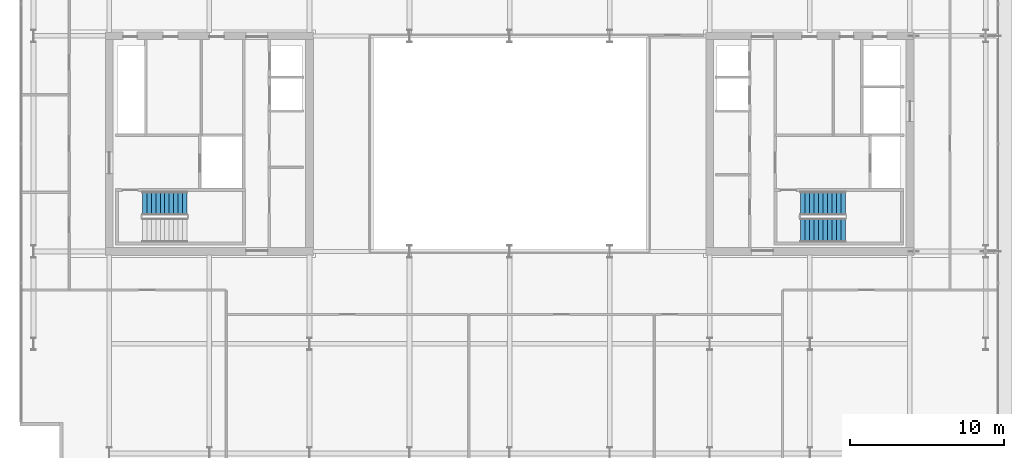
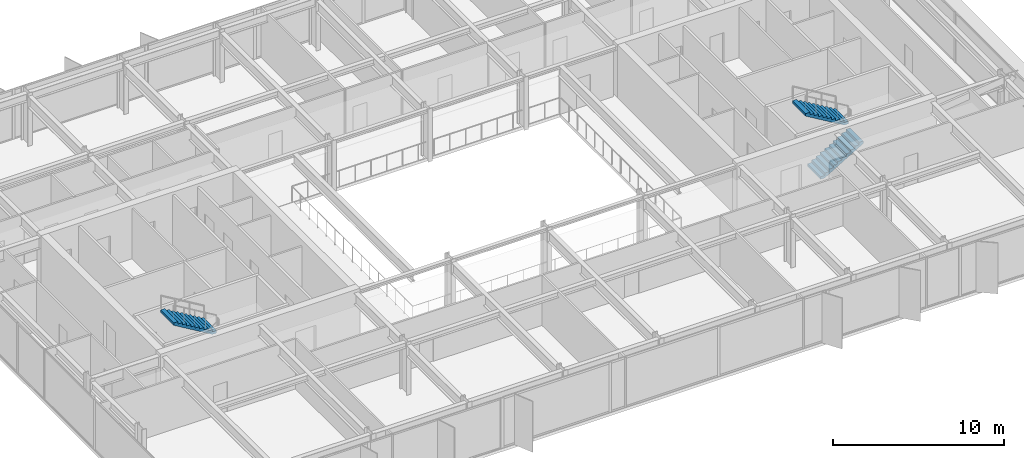
# One storey, part 14 of 19: 3 stair flights, 2 elements without a shape of their own.
"""IFC4 building model written with IfcOpenShell, lengths in metres."""

from ifc_helpers import new_model, si_unit, direction, frame, origin, place, context, subcontext, project, spatial, polyline, outline, extrude, material, type_object, element, aggregate, save


model = new_model("IFC4")

# Units and contexts
model_context = context("Model", 3, precision=1e-05, world=origin(), true_north=direction((0.0, 1.0)))
body_context = subcontext(model_context, "Body", "Model", "MODEL_VIEW")
ifc_project = project(units=[si_unit("LENGTHUNIT", "METRE"), si_unit("AREAUNIT", "SQUARE_METRE"), si_unit("VOLUMEUNIT", "CUBIC_METRE"), si_unit("PLANEANGLEUNIT", "RADIAN"), si_unit("MASSUNIT", "GRAM", prefix="KILO")], contexts=[model_context])

# Site, building, storey
site_placement = place(None, origin())
site = spatial("IfcSite", under=ifc_project, at=site_placement, CompositionType="ELEMENT")
building_placement = place(site_placement, origin())
building = spatial("IfcBuilding", under=site, at=building_placement, Name="Putna Gate Headquarters", CompositionType="ELEMENT")
storey_placement = place(building_placement, frame((0.0, 0.0, 255.60009765625)))
storey = spatial("IfcBuildingStorey", under=building, at=storey_placement, Name="L64", CompositionType="ELEMENT", Elevation=255.60009765625)

# Stair, stair flight
ifc_material = material(Name="Concrete C40/50", Category="concrete")
stair_type_1 = type_object("IfcStairType", Name="STAIR-ST1", PredefinedType="HALF_TURN_STAIR", material=ifc_material)
stair_1_placement = place(storey_placement, origin())
stair_1 = element("IfcStair", 1, at=stair_1_placement, inside=storey, type_object=stair_type_1, Name="L64 West Core Exit Stair ST1", PredefinedType="HALF_TURN_STAIR")
stair_flight_type_1 = type_object("IfcStairFlightType", Name="FLIGHT-ST1", PredefinedType="STRAIGHT", material=ifc_material)
stair_flight_1_placement = place(storey_placement, frame((18.050048828125, 22.125, 1.89990234375), z_axis=(0.0, 0.0, 1.0), x_axis=(-1.0, 0.0, 0.0)))
stair_flight_1 = element("IfcStairFlight", 2, at=stair_flight_1_placement, type_object=stair_flight_type_1, Name="ST1 flight 2", NumberOfRisers=11, NumberOfTreads=10, PredefinedType="STRAIGHT", RiserHeight=0.172727273, TreadLength=0.29, context=body_context, shape_type="SweptSolid", body=[
    extrude(outline(polyline([(0.0, 0.0), (0.0, 0.172607421875), (0.2900390625, 0.172607421875), (0.2900390625, 0.345458984375), (0.580078125, 0.345458984375), (0.580078125, 0.51806640625), (0.8701171875, 0.51806640625), (0.8701171875, 0.69091796875), (1.159912109375, 0.69091796875), (1.159912109375, 0.863525390625), (1.449951171875, 0.863525390625), (1.449951171875, 1.036376953125), (1.739990234375, 1.036376953125), (1.739990234375, 1.208984375), (2.030029296875, 1.208984375), (2.030029296875, 1.3818359375), (2.320068359375, 1.3818359375), (2.320068359375, 1.554443359375), (2.610107421875, 1.554443359375), (2.610107421875, 1.727294921875), (2.89990234375, 1.727294921875), (2.89990234375, 1.89990234375), (2.89990234375, 1.552734375), (0.29296875, 0.0), (0.0, 0.0)])), frame((0.0, 0.77490234375, 0.0), z_axis=(0.0, -1.0, 0.0), x_axis=(1.0, 0.0, 0.0)), (0.0, 0.0, 1.0), 1.550048828125),
])
aggregate(stair_1, [stair_flight_1])

# Stair, stair flights
stair_type_2 = type_object("IfcStairType", Name="STAIR-ST2", PredefinedType="HALF_TURN_STAIR", material=ifc_material)
stair_2_placement = place(storey_placement, origin())
stair_2 = element("IfcStair", 3, at=stair_2_placement, inside=storey, type_object=stair_type_2, Name="L64 East Core Exit Stair ST2", PredefinedType="HALF_TURN_STAIR")
stair_flight_type_2 = type_object("IfcStairFlightType", Name="FLIGHT-ST2", PredefinedType="STRAIGHT", material=ifc_material)
stair_flight_2_placement = place(storey_placement, frame((57.89990234375, 20.375, 0.0), z_axis=(0.0, 0.0, 1.0), x_axis=(1.0, 0.0, 0.0)))
stair_flight_2 = element("IfcStairFlight", 4, at=stair_flight_2_placement, type_object=stair_flight_type_2, Name="ST2 flight 1", NumberOfRisers=11, NumberOfTreads=10, PredefinedType="STRAIGHT", RiserHeight=0.172727273, TreadLength=0.29, context=body_context, shape_type="SweptSolid", body=[
    extrude(outline(polyline([(0.0, 0.0), (0.0, 0.172607421875), (0.2900390625, 0.172607421875), (0.2900390625, 0.345458984375), (0.580078125, 0.345458984375), (0.580078125, 0.51806640625), (0.8701171875, 0.51806640625), (0.8701171875, 0.69091796875), (1.159912109375, 0.69091796875), (1.159912109375, 0.863525390625), (1.449951171875, 0.863525390625), (1.449951171875, 1.036376953125), (1.739990234375, 1.036376953125), (1.739990234375, 1.208984375), (2.030029296875, 1.208984375), (2.030029296875, 1.3818359375), (2.320068359375, 1.3818359375), (2.320068359375, 1.554443359375), (2.610107421875, 1.554443359375), (2.610107421875, 1.727294921875), (2.89990234375, 1.727294921875), (2.89990234375, 1.89990234375), (2.89990234375, 1.552734375), (0.29296875, 0.0), (0.0, 0.0)])), frame((0.0, 0.77490234375, 0.0), z_axis=(0.0, -1.0, 0.0), x_axis=(1.0, 0.0, 0.0)), (0.0, 0.0, 1.0), 1.550048828125),
])
stair_flight_3_placement = place(storey_placement, frame((60.800048828125, 22.125, 1.89990234375), z_axis=(0.0, 0.0, 1.0), x_axis=(-1.0, 0.0, 0.0)))
stair_flight_3 = element("IfcStairFlight", 5, at=stair_flight_3_placement, type_object=stair_flight_type_2, Name="ST2 flight 2", NumberOfRisers=11, NumberOfTreads=10, PredefinedType="STRAIGHT", RiserHeight=0.172727273, TreadLength=0.29, context=body_context, shape_type="SweptSolid", body=[
    extrude(outline(polyline([(0.0, 0.0), (0.0, 0.172607421875), (0.2900390625, 0.172607421875), (0.2900390625, 0.345458984375), (0.580078125, 0.345458984375), (0.580078125, 0.51806640625), (0.8701171875, 0.51806640625), (0.8701171875, 0.69091796875), (1.159912109375, 0.69091796875), (1.159912109375, 0.863525390625), (1.449951171875, 0.863525390625), (1.449951171875, 1.036376953125), (1.739990234375, 1.036376953125), (1.739990234375, 1.208984375), (2.030029296875, 1.208984375), (2.030029296875, 1.3818359375), (2.320068359375, 1.3818359375), (2.320068359375, 1.554443359375), (2.610107421875, 1.554443359375), (2.610107421875, 1.727294921875), (2.89990234375, 1.727294921875), (2.89990234375, 1.89990234375), (2.89990234375, 1.552734375), (0.29296875, 0.0), (0.0, 0.0)])), frame((0.0, 0.77490234375, 0.0), z_axis=(0.0, -1.0, 0.0), x_axis=(1.0, 0.0, 0.0)), (0.0, 0.0, 1.0), 1.550048828125),
])
aggregate(stair_2, [stair_flight_2, stair_flight_3])

save(model, "model.ifc")
